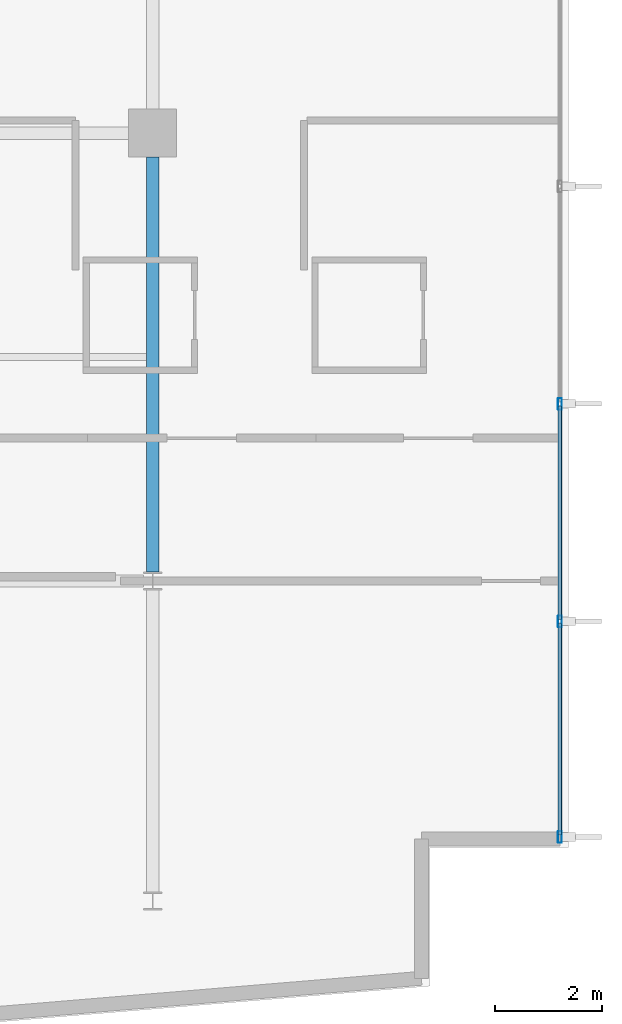
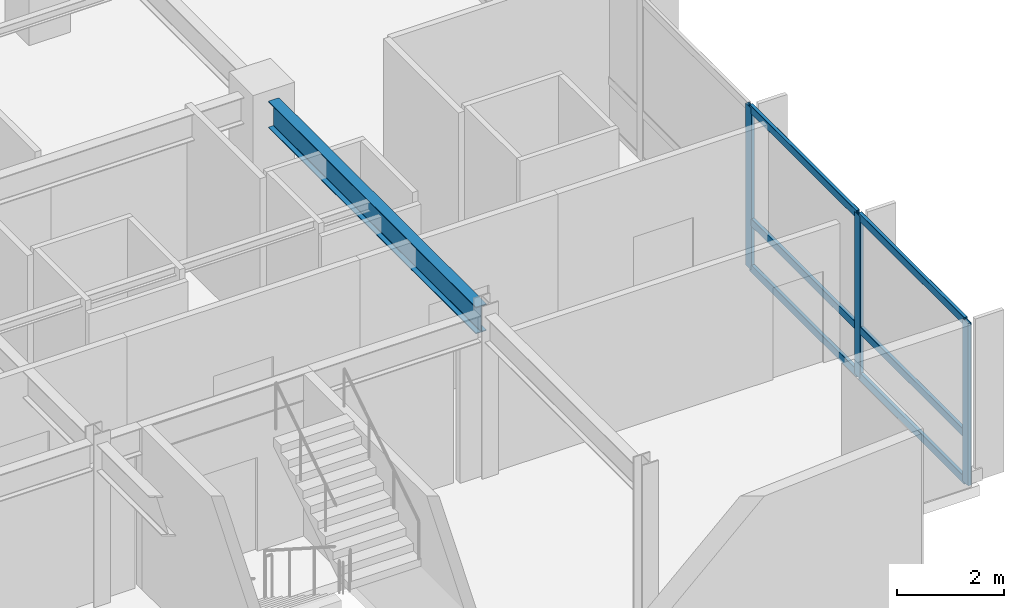
# One storey, part 5 of 21: 9 members, 1 beam, 1 element without a shape of its own.
"""IFC4 building model written with IfcOpenShell, lengths in metres."""

import ifcopenshell
import ifcopenshell.guid

model = None  # the IFC model being written
_history = None  # IfcOwnerHistory: only IFC2X3 demands one
_inside = {}  # id of a spatial element -> (the spatial element, [elements in it])
_under = {}  # id of a project, library or spatial element -> (it, [spatial elements below it])
_declared = {}  # id of a project -> (the project, [libraries it declares])
_typed = {}  # id of a type object -> (the type object, [elements of that type])
_made_of = {}  # id of a material, layer set ... -> (it, [elements and type objects made of it])


def new_model(schema):
    """Start an empty IFC model of exactly this schema.

    Asked for "IFC4X3", IfcOpenShell would pick the latest addendum, in which some entities
    have other attributes; the version numbers below select the first issue.
    IFC2X3 requires an IfcOwnerHistory on every rooted entity: one is made here for all.
    """
    global model, _history
    if schema == "IFC4X3":
        model = ifcopenshell.file(schema_version=(4, 3, 0, 0))
    else:
        model = ifcopenshell.file(schema=schema)
    _inside.clear()
    _under.clear()
    _declared.clear()
    _typed.clear()
    _made_of.clear()
    _history = None
    if model.schema == "IFC2X3":
        org = make("IfcOrganization", Name="unknown")
        user = make(
            "IfcPersonAndOrganization",
            ThePerson=make("IfcPerson", FamilyName="unknown"),
            TheOrganization=org,
        )
        app = make(
            "IfcApplication",
            ApplicationDeveloper=org,
            Version="unknown",
            ApplicationFullName="unknown",
            ApplicationIdentifier="unknown",
        )
        _history = make(
            "IfcOwnerHistory",
            OwningUser=user,
            OwningApplication=app,
            ChangeAction="ADDED",
            CreationDate=0,
        )
    return model


def make(cls, **values):
    """One entity of the class cls with the attributes given. An attribute that is None is left unset."""
    return model.create_entity(
        cls, **{name: value for name, value in values.items() if value is not None}
    )


def rooted(cls, **values):
    """An entity with a GlobalId (a new one), such as an element, a storey or a relation."""
    return make(cls, GlobalId=ifcopenshell.guid.new(), OwnerHistory=_history, **values)


def si_unit(unit_type, name, prefix=None):
    """IfcSIUnit, for example si_unit("LENGTHUNIT", "METRE", prefix="MILLI")."""
    return make("IfcSIUnit", UnitType=unit_type, Prefix=prefix, Name=name)


def assignment(units):
    """IfcUnitAssignment: the units of a project."""
    return None if units is None else make("IfcUnitAssignment", Units=units)


def point(xyz):
    """IfcCartesianPoint."""
    return None if xyz is None else make("IfcCartesianPoint", Coordinates=xyz)


def direction(xyz):
    """IfcDirection."""
    return None if xyz is None else make("IfcDirection", DirectionRatios=xyz)


def frame(location, z_axis=None, x_axis=None):
    """IfcAxis2Placement3D, a coordinate frame: its origin and axes. An axis left out is left unset."""
    return make(
        "IfcAxis2Placement3D",
        Location=point(location),
        Axis=direction(z_axis),
        RefDirection=direction(x_axis),
    )


def frame_2d(location, x_axis=None):
    """IfcAxis2Placement2D, a coordinate frame in the plane: its origin and x axis."""
    return make(
        "IfcAxis2Placement2D", Location=point(location), RefDirection=direction(x_axis)
    )


def origin():
    """The frame at (0, 0, 0) with its axes left unset."""
    return frame((0.0, 0.0, 0.0))


def origin_2d():
    """The frame at (0, 0) in the plane with its x axis left unset."""
    return frame_2d((0.0, 0.0))


def place(relative_to, where):
    """IfcLocalPlacement: puts the frame where relative to a parent placement (None: the world)."""
    return make(
        "IfcLocalPlacement", PlacementRelTo=relative_to, RelativePlacement=where
    )


def context(
    kind, dimensions, precision=None, world=None, true_north=None, identifier=None
):
    """IfcGeometricRepresentationContext, for example the 3D "Model" context."""
    return make(
        "IfcGeometricRepresentationContext",
        ContextIdentifier=identifier,
        ContextType=kind,
        CoordinateSpaceDimension=dimensions,
        Precision=precision,
        WorldCoordinateSystem=world,
        TrueNorth=true_north,
    )


def subcontext(parent, identifier, kind, view, scale=None):
    """IfcGeometricRepresentationSubContext, for example "Body" below "Model"."""
    return make(
        "IfcGeometricRepresentationSubContext",
        ContextIdentifier=identifier,
        ContextType=kind,
        ParentContext=parent,
        TargetScale=scale,
        TargetView=view,
    )


def project(units=None, contexts=None):
    """IfcProject with its units and contexts."""
    return rooted(
        "IfcProject",
        Name="project",
        RepresentationContexts=contexts,
        UnitsInContext=assignment(units),
    )


def spatial(cls, under=None, at=None, **own):
    """A site, building, storey or space (cls), placed at a placement, below another one or the project."""
    s = rooted(cls, ObjectPlacement=at, **own)
    if under is not None:
        _under.setdefault(under.id(), (under, []))[1].append(s)
    return s


def profile(cls, at=None, kind="AREA", **sizes):
    """A parametric profile (cls). Its sizes go by their IFC names, for example OverallWidth=200.0."""
    return make(cls, ProfileType=kind, Position=at, **sizes)


def hollow_rectangle(**sizes):
    """IfcRectangleHollowProfileDef."""
    return profile("IfcRectangleHollowProfileDef", **sizes)


def i_section(**sizes):
    """IfcIShapeProfileDef."""
    return profile("IfcIShapeProfileDef", **sizes)


def extrude(swept, where, along, depth):
    """IfcExtrudedAreaSolid: the profile swept, set in the frame where, extruded along a direction by depth."""
    return make(
        "IfcExtrudedAreaSolid",
        SweptArea=swept,
        Position=where,
        ExtrudedDirection=direction(along),
        Depth=depth,
    )


def shape(context_of_items, identifier, shape_type, items):
    """IfcShapeRepresentation: the items that make up one representation, for example the "Body"."""
    return make(
        "IfcShapeRepresentation",
        ContextOfItems=context_of_items,
        RepresentationIdentifier=identifier,
        RepresentationType=shape_type,
        Items=items,
    )


def material(Name=None, Category=None):
    """IfcMaterial."""
    return make("IfcMaterial", Name=Name, Category=Category)


def layer(
    of_material, thickness, ventilated=None, Name=None, Category=None, Priority=None
):
    """IfcMaterialLayer: one layer of a wall or slab, of a material (None: an air gap)."""
    return make(
        "IfcMaterialLayer",
        Material=of_material,
        LayerThickness=thickness,
        IsVentilated=ventilated,
        Name=Name,
        Category=Category,
        Priority=Priority,
    )


def layer_set(layers, Name=None):
    """IfcMaterialLayerSet."""
    return make("IfcMaterialLayerSet", MaterialLayers=layers, LayerSetName=Name)


def material_profile(
    of_material, cross_section, Name=None, Category=None, Priority=None
):
    """IfcMaterialProfile: a cross section and its material."""
    return make(
        "IfcMaterialProfile",
        Name=Name,
        Material=of_material,
        Profile=cross_section,
        Priority=Priority,
        Category=Category,
    )


def profile_set(profiles, Name=None, composite=None):
    """IfcMaterialProfileSet."""
    return make(
        "IfcMaterialProfileSet",
        Name=Name,
        MaterialProfiles=profiles,
        CompositeProfile=composite,
    )


def made_of(thing, what):
    """Note that an element or type object is made of a material, layer set ...; save() writes the relation."""
    if what is not None:
        _made_of.setdefault(what.id(), (what, []))[1].append(thing)
    return thing


def type_object(cls, material=None, **own):
    """A type object (cls), such as IfcWallType, which elements share."""
    return made_of(rooted(cls, **own), material)


def element(
    cls,
    number,
    at=None,
    inside=None,
    cuts=None,
    type_object=None,
    material=None,
    context=None,
    identifier="Body",
    shape_type=None,
    held_by="IfcProductDefinitionShape",
    body=None,
    shapes=None,
    **own,
):
    """One element of the class cls, such as IfcWall. Its Tag is "e" and its number.

    at: its placement. inside: the storey or other place that contains it. cuts: it is an
    opening in that element (IfcRelVoidsElement). A single representation is given by context,
    identifier, shape_type and body (its items); several are given by shapes. held_by: the class
    of the entity that holds the representations. save() writes the other relations.
    """
    e = rooted(cls, Tag="e%d" % number, ObjectPlacement=at, **own)
    if body is not None:
        shapes = [shape(context, identifier, shape_type, body)]
    if shapes is not None:
        e.Representation = make(held_by, Representations=shapes)
    if inside is not None:
        _inside.setdefault(inside.id(), (inside, []))[1].append(e)
    if cuts is not None:
        rooted(
            "IfcRelVoidsElement", RelatingBuildingElement=cuts, RelatedOpeningElement=e
        )
    if type_object is not None:
        _typed.setdefault(type_object.id(), (type_object, []))[1].append(e)
    return made_of(e, material)


def aggregate(whole, parts):
    """IfcRelAggregates: a whole, such as a stair, and the parts it consists of."""
    return rooted("IfcRelAggregates", RelatingObject=whole, RelatedObjects=parts)


def save(model, path):
    """Write the relations noted so far, then the file.

    IfcRelAggregates (storeys below a building ...), IfcRelContainedInSpatialStructure (elements
    in a storey), IfcRelDefinesByType, IfcRelAssociatesMaterial and IfcRelDeclares: one each for
    every whole, place, type object, material and project.
    """
    for whole, parts in _under.values():
        aggregate(whole, parts)
    for where, things in _inside.values():
        rooted(
            "IfcRelContainedInSpatialStructure",
            RelatedElements=things,
            RelatingStructure=where,
        )
    for kind, things in _typed.values():
        rooted("IfcRelDefinesByType", RelatedObjects=things, RelatingType=kind)
    for what, things in _made_of.values():
        rooted("IfcRelAssociatesMaterial", RelatedObjects=things, RelatingMaterial=what)
    for by, libraries in _declared.values():
        rooted("IfcRelDeclares", RelatingContext=by, RelatedDefinitions=libraries)
    model.write(path)


model = new_model("IFC4")

# Units and contexts
model_context = context("Model", 3, precision=1e-05, world=origin(), true_north=direction((0.0, 1.0)))
body_context = subcontext(model_context, "Body", "Model", "MODEL_VIEW")
ifc_project = project(units=[si_unit("LENGTHUNIT", "METRE"), si_unit("AREAUNIT", "SQUARE_METRE"), si_unit("VOLUMEUNIT", "CUBIC_METRE"), si_unit("PLANEANGLEUNIT", "RADIAN"), si_unit("MASSUNIT", "GRAM", prefix="KILO")], contexts=[model_context])

# Site, building, storey
site_placement = place(None, origin())
site = spatial("IfcSite", under=ifc_project, at=site_placement, CompositionType="ELEMENT")
building_placement = place(site_placement, origin())
building = spatial("IfcBuilding", under=site, at=building_placement, Name="Varnakote Quay Hospital", CompositionType="ELEMENT")
storey_placement = place(building_placement, frame((0.0, 0.0, 34.35009765625)))
storey = spatial("IfcBuildingStorey", under=building, at=storey_placement, Name="L08", CompositionType="ELEMENT", Elevation=34.35009765625)

# Beam
ifc_material_1 = material(Name="Structural steel AS/NZS 3679.1 Grade 350 L0 (fy 340 MPa)", Category="steel")
ifc_material_profile_1 = material_profile(ifc_material_1, i_section(OverallWidth=0.22900390625, OverallDepth=0.612060546875, WebThickness=0.011962890625, FlangeThickness=0.01953125, FilletRadius=0.013916015625, at=origin_2d()), Name="610UB125")
ifc_profile_set_1 = profile_set([ifc_material_profile_1], Name="Structural steel AS/NZS 3679.1 Grade 350 L0 (fy 340 MPa)")
beam_type = type_object("IfcBeamType", Name="BM-STL-610UB125", PredefinedType="BEAM", material=ifc_profile_set_1)
beam_placement = place(storey_placement, frame((50.39990234375, 12.169921875, 3.40380859375), z_axis=(0.0, 1.0, 0.0), x_axis=(-1.0, 0.0, 0.0)))
element("IfcBeam", 1, at=beam_placement, inside=storey, type_object=beam_type, Name="L08 Primary Tie Beam", PredefinedType="BEAM", context=body_context, shape_type="SweptSolid", body=[
    extrude(i_section(OverallWidth=0.22900390625, OverallDepth=0.612060546875, WebThickness=0.011962890625, FlangeThickness=0.01953125, FilletRadius=0.013916015625, at=origin_2d()), origin(), (0.0, 0.0, 1.0), 7.780029296875),
])

# Curtain wall, members
ifc_material_2 = material(Name="Anodised aluminium 6063-T6 Bronze", Category="aluminium")
ifc_layer = layer(ifc_material_2, 0.18994140625)
ifc_layer_set = layer_set([ifc_layer], Name="Anodised aluminium 6063-T6 Bronze")
curtain_wall_type = type_object("IfcCurtainWallType", Name="CW-SYS-2", PredefinedType="NOTDEFINED", material=ifc_layer_set)
curtain_wall_placement = place(storey_placement, origin())
curtain_wall = element("IfcCurtainWall", 2, at=curtain_wall_placement, inside=storey, type_object=curtain_wall_type, Name="L08 Unitised Bronze Curtain Wall 1", PredefinedType="NOTDEFINED")
ifc_material_3 = material(Name="Anodised aluminium 6063-T6 Bronze", Category="aluminium")
ifc_material_profile_2 = material_profile(ifc_material_3, hollow_rectangle(XDim=0.074951171875, YDim=0.219970703125, WallThickness=0.00439453125, InnerFilletRadius=0.00439453125, OuterFilletRadius=0.009033203125, at=origin_2d()), Name="CW-MULL-220x75")
ifc_profile_set_2 = profile_set([ifc_material_profile_2], Name="Anodised aluminium 6063-T6 Bronze")
member_type_1 = type_object("IfcMemberType", Name="CW-MULL-220x75", PredefinedType="MULLION", material=ifc_profile_set_2)
member_1_placement = place(storey_placement, frame((58.0400390625, 7.197509765625, 0.0), z_axis=(0.0, 0.0, 1.0), x_axis=(-1.0, 0.0, 0.0)))
member_1 = element("IfcMember", 3, at=member_1_placement, type_object=member_type_1, Name="-2-L08-1 mullion 1", PredefinedType="MULLION", context=body_context, shape_type="SweptSolid", body=[
    extrude(hollow_rectangle(XDim=0.074951171875, YDim=0.219970703125, WallThickness=0.00439453125, InnerFilletRadius=0.00439453125, OuterFilletRadius=0.009033203125, at=origin_2d()), origin(), (0.0, 0.0, 1.0), 3.7099609375),
])
member_2_placement = place(storey_placement, frame((58.0400390625, 11.239990234375, 0.0), z_axis=(0.0, 0.0, 1.0), x_axis=(-1.0, 0.0, 0.0)))
member_2 = element("IfcMember", 4, at=member_2_placement, type_object=member_type_1, Name="-2-L08-1 mullion 2", PredefinedType="MULLION", context=body_context, shape_type="SweptSolid", body=[
    extrude(hollow_rectangle(XDim=0.074951171875, YDim=0.219970703125, WallThickness=0.00439453125, InnerFilletRadius=0.00439453125, OuterFilletRadius=0.009033203125, at=origin_2d()), origin(), (0.0, 0.0, 1.0), 3.7099609375),
])
member_3_placement = place(storey_placement, frame((58.0400390625, 15.320068359375, 0.0), z_axis=(0.0, 0.0, 1.0), x_axis=(-1.0, 0.0, 0.0)))
member_3 = element("IfcMember", 5, at=member_3_placement, type_object=member_type_1, Name="-2-L08-1 mullion 3", PredefinedType="MULLION", context=body_context, shape_type="SweptSolid", body=[
    extrude(hollow_rectangle(XDim=0.074951171875, YDim=0.219970703125, WallThickness=0.00439453125, InnerFilletRadius=0.00439453125, OuterFilletRadius=0.009033203125, at=origin_2d()), origin(), (0.0, 0.0, 1.0), 3.7099609375),
])
ifc_material_4 = material(Name="Anodised aluminium 6063-T6 Bronze", Category="aluminium")
ifc_material_profile_3 = material_profile(ifc_material_4, hollow_rectangle(XDim=0.074951171875, YDim=0.179931640625, WallThickness=0.004150390625, InnerFilletRadius=0.004150390625, OuterFilletRadius=0.00830078125, at=origin_2d()), Name="CW-TRAN-180x75")
ifc_profile_set_3 = profile_set([ifc_material_profile_3], Name="Anodised aluminium 6063-T6 Bronze")
member_type_2 = type_object("IfcMemberType", Name="CW-TRAN-180x75", PredefinedType="USERDEFINED", material=ifc_profile_set_3)
member_4_placement = place(storey_placement, frame((58.0400390625, 7.235107421875, 0.037353515625), z_axis=(0.0, 1.0, 0.0), x_axis=(-1.0, 0.0, 0.0)))
member_4 = element("IfcMember", 6, at=member_4_placement, type_object=member_type_2, Name="-2-L08-1 transom 1.1", ObjectType="TRANSOM", PredefinedType="USERDEFINED", context=body_context, shape_type="SweptSolid", body=[
    extrude(hollow_rectangle(XDim=0.074951171875, YDim=0.179931640625, WallThickness=0.004150390625, InnerFilletRadius=0.004150390625, OuterFilletRadius=0.00830078125, at=origin_2d()), origin(), (0.0, 0.0, 1.0), 3.96728515625),
])
member_5_placement = place(storey_placement, frame((58.0400390625, 7.235107421875, 1.099853515625), z_axis=(0.0, 1.0, 0.0), x_axis=(-1.0, 0.0, 0.0)))
member_5 = element("IfcMember", 7, at=member_5_placement, type_object=member_type_2, Name="-2-L08-1 transom 1.2", ObjectType="TRANSOM", PredefinedType="USERDEFINED", context=body_context, shape_type="SweptSolid", body=[
    extrude(hollow_rectangle(XDim=0.074951171875, YDim=0.179931640625, WallThickness=0.004150390625, InnerFilletRadius=0.004150390625, OuterFilletRadius=0.00830078125, at=origin_2d()), origin(), (0.0, 0.0, 1.0), 3.96728515625),
])
member_6_placement = place(storey_placement, frame((58.0400390625, 7.235107421875, 3.67236328125), z_axis=(0.0, 1.0, 0.0), x_axis=(-1.0, 0.0, 0.0)))
member_6 = element("IfcMember", 8, at=member_6_placement, type_object=member_type_2, Name="-2-L08-1 transom 1.3", ObjectType="TRANSOM", PredefinedType="USERDEFINED", context=body_context, shape_type="SweptSolid", body=[
    extrude(hollow_rectangle(XDim=0.074951171875, YDim=0.179931640625, WallThickness=0.004150390625, InnerFilletRadius=0.004150390625, OuterFilletRadius=0.00830078125, at=origin_2d()), origin(), (0.0, 0.0, 1.0), 3.96728515625),
])
member_7_placement = place(storey_placement, frame((58.0400390625, 11.277587890625, 0.037353515625), z_axis=(0.0, 1.0, 0.0), x_axis=(-1.0, 0.0, 0.0)))
member_7 = element("IfcMember", 9, at=member_7_placement, type_object=member_type_2, Name="-2-L08-1 transom 2.1", ObjectType="TRANSOM", PredefinedType="USERDEFINED", context=body_context, shape_type="SweptSolid", body=[
    extrude(hollow_rectangle(XDim=0.074951171875, YDim=0.179931640625, WallThickness=0.004150390625, InnerFilletRadius=0.004150390625, OuterFilletRadius=0.00830078125, at=origin_2d()), origin(), (0.0, 0.0, 1.0), 4.0048828125),
])
member_8_placement = place(storey_placement, frame((58.0400390625, 11.277587890625, 1.099853515625), z_axis=(0.0, 1.0, 0.0), x_axis=(-1.0, 0.0, 0.0)))
member_8 = element("IfcMember", 10, at=member_8_placement, type_object=member_type_2, Name="-2-L08-1 transom 2.2", ObjectType="TRANSOM", PredefinedType="USERDEFINED", context=body_context, shape_type="SweptSolid", body=[
    extrude(hollow_rectangle(XDim=0.074951171875, YDim=0.179931640625, WallThickness=0.004150390625, InnerFilletRadius=0.004150390625, OuterFilletRadius=0.00830078125, at=origin_2d()), origin(), (0.0, 0.0, 1.0), 4.0048828125),
])
member_9_placement = place(storey_placement, frame((58.0400390625, 11.277587890625, 3.67236328125), z_axis=(0.0, 1.0, 0.0), x_axis=(-1.0, 0.0, 0.0)))
member_9 = element("IfcMember", 11, at=member_9_placement, type_object=member_type_2, Name="-2-L08-1 transom 2.3", ObjectType="TRANSOM", PredefinedType="USERDEFINED", context=body_context, shape_type="SweptSolid", body=[
    extrude(hollow_rectangle(XDim=0.074951171875, YDim=0.179931640625, WallThickness=0.004150390625, InnerFilletRadius=0.004150390625, OuterFilletRadius=0.00830078125, at=origin_2d()), origin(), (0.0, 0.0, 1.0), 4.0048828125),
])
aggregate(curtain_wall, [member_1, member_2, member_3, member_4, member_5, member_6, member_7, member_8, member_9])

save(model, "model.ifc")
